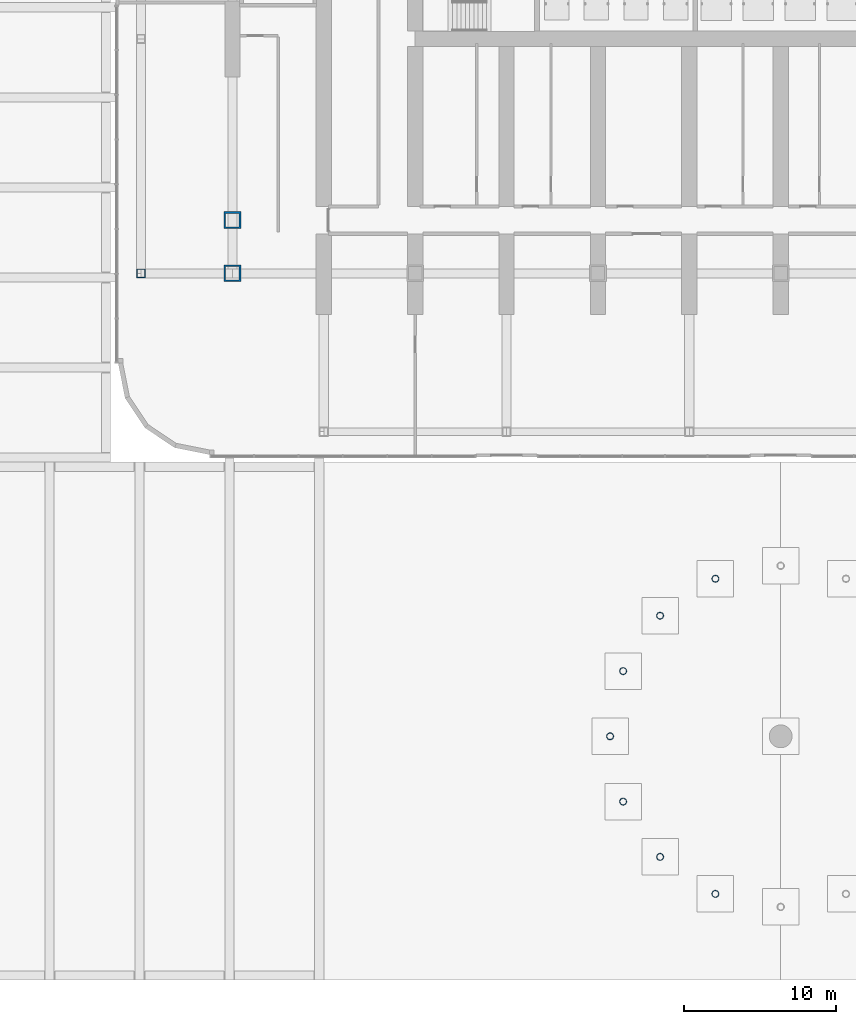
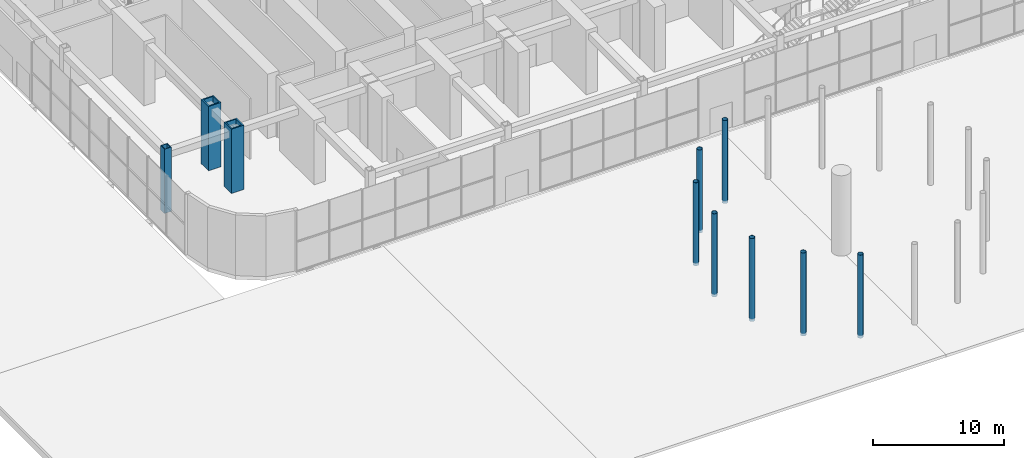
# One storey, part 2 of 57: 10 columns.
"""IFC4 building model written with IfcOpenShell, lengths in metres."""

import ifcopenshell
import ifcopenshell.guid

model = None  # the IFC model being written
_history = None  # IfcOwnerHistory: only IFC2X3 demands one
_inside = {}  # id of a spatial element -> (the spatial element, [elements in it])
_under = {}  # id of a project, library or spatial element -> (it, [spatial elements below it])
_declared = {}  # id of a project -> (the project, [libraries it declares])
_typed = {}  # id of a type object -> (the type object, [elements of that type])
_made_of = {}  # id of a material, layer set ... -> (it, [elements and type objects made of it])


def new_model(schema):
    """Start an empty IFC model of exactly this schema.

    Asked for "IFC4X3", IfcOpenShell would pick the latest addendum, in which some entities
    have other attributes; the version numbers below select the first issue.
    IFC2X3 requires an IfcOwnerHistory on every rooted entity: one is made here for all.
    """
    global model, _history
    if schema == "IFC4X3":
        model = ifcopenshell.file(schema_version=(4, 3, 0, 0))
    else:
        model = ifcopenshell.file(schema=schema)
    _inside.clear()
    _under.clear()
    _declared.clear()
    _typed.clear()
    _made_of.clear()
    _history = None
    if model.schema == "IFC2X3":
        org = make("IfcOrganization", Name="unknown")
        user = make(
            "IfcPersonAndOrganization",
            ThePerson=make("IfcPerson", FamilyName="unknown"),
            TheOrganization=org,
        )
        app = make(
            "IfcApplication",
            ApplicationDeveloper=org,
            Version="unknown",
            ApplicationFullName="unknown",
            ApplicationIdentifier="unknown",
        )
        _history = make(
            "IfcOwnerHistory",
            OwningUser=user,
            OwningApplication=app,
            ChangeAction="ADDED",
            CreationDate=0,
        )
    return model


def make(cls, **values):
    """One entity of the class cls with the attributes given. An attribute that is None is left unset."""
    return model.create_entity(
        cls, **{name: value for name, value in values.items() if value is not None}
    )


def rooted(cls, **values):
    """An entity with a GlobalId (a new one), such as an element, a storey or a relation."""
    return make(cls, GlobalId=ifcopenshell.guid.new(), OwnerHistory=_history, **values)


def si_unit(unit_type, name, prefix=None):
    """IfcSIUnit, for example si_unit("LENGTHUNIT", "METRE", prefix="MILLI")."""
    return make("IfcSIUnit", UnitType=unit_type, Prefix=prefix, Name=name)


def assignment(units):
    """IfcUnitAssignment: the units of a project."""
    return None if units is None else make("IfcUnitAssignment", Units=units)


def point(xyz):
    """IfcCartesianPoint."""
    return None if xyz is None else make("IfcCartesianPoint", Coordinates=xyz)


def direction(xyz):
    """IfcDirection."""
    return None if xyz is None else make("IfcDirection", DirectionRatios=xyz)


def frame(location, z_axis=None, x_axis=None):
    """IfcAxis2Placement3D, a coordinate frame: its origin and axes. An axis left out is left unset."""
    return make(
        "IfcAxis2Placement3D",
        Location=point(location),
        Axis=direction(z_axis),
        RefDirection=direction(x_axis),
    )


def frame_2d(location, x_axis=None):
    """IfcAxis2Placement2D, a coordinate frame in the plane: its origin and x axis."""
    return make(
        "IfcAxis2Placement2D", Location=point(location), RefDirection=direction(x_axis)
    )


def origin():
    """The frame at (0, 0, 0) with its axes left unset."""
    return frame((0.0, 0.0, 0.0))


def origin_2d():
    """The frame at (0, 0) in the plane with its x axis left unset."""
    return frame_2d((0.0, 0.0))


def place(relative_to, where):
    """IfcLocalPlacement: puts the frame where relative to a parent placement (None: the world)."""
    return make(
        "IfcLocalPlacement", PlacementRelTo=relative_to, RelativePlacement=where
    )


def context(
    kind, dimensions, precision=None, world=None, true_north=None, identifier=None
):
    """IfcGeometricRepresentationContext, for example the 3D "Model" context."""
    return make(
        "IfcGeometricRepresentationContext",
        ContextIdentifier=identifier,
        ContextType=kind,
        CoordinateSpaceDimension=dimensions,
        Precision=precision,
        WorldCoordinateSystem=world,
        TrueNorth=true_north,
    )


def subcontext(parent, identifier, kind, view, scale=None):
    """IfcGeometricRepresentationSubContext, for example "Body" below "Model"."""
    return make(
        "IfcGeometricRepresentationSubContext",
        ContextIdentifier=identifier,
        ContextType=kind,
        ParentContext=parent,
        TargetScale=scale,
        TargetView=view,
    )


def project(units=None, contexts=None):
    """IfcProject with its units and contexts."""
    return rooted(
        "IfcProject",
        Name="project",
        RepresentationContexts=contexts,
        UnitsInContext=assignment(units),
    )


def spatial(cls, under=None, at=None, **own):
    """A site, building, storey or space (cls), placed at a placement, below another one or the project."""
    s = rooted(cls, ObjectPlacement=at, **own)
    if under is not None:
        _under.setdefault(under.id(), (under, []))[1].append(s)
    return s


def profile(cls, at=None, kind="AREA", **sizes):
    """A parametric profile (cls). Its sizes go by their IFC names, for example OverallWidth=200.0."""
    return make(cls, ProfileType=kind, Position=at, **sizes)


def hollow_rectangle(**sizes):
    """IfcRectangleHollowProfileDef."""
    return profile("IfcRectangleHollowProfileDef", **sizes)


def hollow_circle(**sizes):
    """IfcCircleHollowProfileDef."""
    return profile("IfcCircleHollowProfileDef", **sizes)


def extrude(swept, where, along, depth):
    """IfcExtrudedAreaSolid: the profile swept, set in the frame where, extruded along a direction by depth."""
    return make(
        "IfcExtrudedAreaSolid",
        SweptArea=swept,
        Position=where,
        ExtrudedDirection=direction(along),
        Depth=depth,
    )


def shape(context_of_items, identifier, shape_type, items):
    """IfcShapeRepresentation: the items that make up one representation, for example the "Body"."""
    return make(
        "IfcShapeRepresentation",
        ContextOfItems=context_of_items,
        RepresentationIdentifier=identifier,
        RepresentationType=shape_type,
        Items=items,
    )


def material(Name=None, Category=None):
    """IfcMaterial."""
    return make("IfcMaterial", Name=Name, Category=Category)


def material_profile(
    of_material, cross_section, Name=None, Category=None, Priority=None
):
    """IfcMaterialProfile: a cross section and its material."""
    return make(
        "IfcMaterialProfile",
        Name=Name,
        Material=of_material,
        Profile=cross_section,
        Priority=Priority,
        Category=Category,
    )


def profile_set(profiles, Name=None, composite=None):
    """IfcMaterialProfileSet."""
    return make(
        "IfcMaterialProfileSet",
        Name=Name,
        MaterialProfiles=profiles,
        CompositeProfile=composite,
    )


def made_of(thing, what):
    """Note that an element or type object is made of a material, layer set ...; save() writes the relation."""
    if what is not None:
        _made_of.setdefault(what.id(), (what, []))[1].append(thing)
    return thing


def type_object(cls, material=None, **own):
    """A type object (cls), such as IfcWallType, which elements share."""
    return made_of(rooted(cls, **own), material)


def element(
    cls,
    number,
    at=None,
    inside=None,
    cuts=None,
    type_object=None,
    material=None,
    context=None,
    identifier="Body",
    shape_type=None,
    held_by="IfcProductDefinitionShape",
    body=None,
    shapes=None,
    **own,
):
    """One element of the class cls, such as IfcWall. Its Tag is "e" and its number.

    at: its placement. inside: the storey or other place that contains it. cuts: it is an
    opening in that element (IfcRelVoidsElement). A single representation is given by context,
    identifier, shape_type and body (its items); several are given by shapes. held_by: the class
    of the entity that holds the representations. save() writes the other relations.
    """
    e = rooted(cls, Tag="e%d" % number, ObjectPlacement=at, **own)
    if body is not None:
        shapes = [shape(context, identifier, shape_type, body)]
    if shapes is not None:
        e.Representation = make(held_by, Representations=shapes)
    if inside is not None:
        _inside.setdefault(inside.id(), (inside, []))[1].append(e)
    if cuts is not None:
        rooted(
            "IfcRelVoidsElement", RelatingBuildingElement=cuts, RelatedOpeningElement=e
        )
    if type_object is not None:
        _typed.setdefault(type_object.id(), (type_object, []))[1].append(e)
    return made_of(e, material)


def aggregate(whole, parts):
    """IfcRelAggregates: a whole, such as a stair, and the parts it consists of."""
    return rooted("IfcRelAggregates", RelatingObject=whole, RelatedObjects=parts)


def save(model, path):
    """Write the relations noted so far, then the file.

    IfcRelAggregates (storeys below a building ...), IfcRelContainedInSpatialStructure (elements
    in a storey), IfcRelDefinesByType, IfcRelAssociatesMaterial and IfcRelDeclares: one each for
    every whole, place, type object, material and project.
    """
    for whole, parts in _under.values():
        aggregate(whole, parts)
    for where, things in _inside.values():
        rooted(
            "IfcRelContainedInSpatialStructure",
            RelatedElements=things,
            RelatingStructure=where,
        )
    for kind, things in _typed.values():
        rooted("IfcRelDefinesByType", RelatedObjects=things, RelatingType=kind)
    for what, things in _made_of.values():
        rooted("IfcRelAssociatesMaterial", RelatedObjects=things, RelatingMaterial=what)
    for by, libraries in _declared.values():
        rooted("IfcRelDeclares", RelatingContext=by, RelatedDefinitions=libraries)
    model.write(path)


model = new_model("IFC4")

# Units and contexts
model_context = context("Model", 3, precision=1e-05, world=origin(), true_north=direction((0.0, 1.0)))
body_context = subcontext(model_context, "Body", "Model", "MODEL_VIEW")
ifc_project = project(units=[si_unit("LENGTHUNIT", "METRE"), si_unit("AREAUNIT", "SQUARE_METRE"), si_unit("VOLUMEUNIT", "CUBIC_METRE"), si_unit("PLANEANGLEUNIT", "RADIAN"), si_unit("MASSUNIT", "GRAM", prefix="KILO")], contexts=[model_context])

# Site, building, storey
site_placement = place(None, origin())
site = spatial("IfcSite", under=ifc_project, at=site_placement, CompositionType="ELEMENT")
building_placement = place(site_placement, origin())
building = spatial("IfcBuilding", under=site, at=building_placement, Name="Orbita Commons", CompositionType="ELEMENT")
storey_placement = place(building_placement, origin())
storey = spatial("IfcBuildingStorey", under=building, at=storey_placement, Name="L00", CompositionType="ELEMENT", Elevation=0.0)

# Columns
ifc_material_1 = material(Name="Steel ASTM A992", Category="steel")
ifc_material_profile_1 = material_profile(ifc_material_1, hollow_circle(Radius=0.228515625, WallThickness=0.02001953125, at=origin_2d()), Name="CHS 457x20")
ifc_profile_set_1 = profile_set([ifc_material_profile_1], Name="Steel ASTM A992")
column_type_1 = type_object("IfcColumnType", Name="Canopy column CHS 457x20", PredefinedType="COLUMN", material=ifc_profile_set_1)
for number, where, z_axis, x_axis, name in (
    (1, (37.7138671875, -9.652587890625, -0.25), (0.0, 0.0, 1.0), (1.0, 0.0, 0.0), "Canopy column 6"),
    (2, (34.080322265625, -12.080322265625, -0.25), (0.0, 0.0, 1.0), (1.0, 0.0, 0.0), "Canopy column 7"),
    (3, (31.652587890625, -15.7138671875, -0.25), (0.0, 0.0, 1.0), (1.0, 0.0, 0.0), "Canopy column 8"),
    (4, (30.800048828125, -20.0, -0.25), (0.0, 0.0, 1.0), (1.0, 0.0, 0.0), "Canopy column 9"),
    (5, (31.652587890625, -24.2861328125, -0.25), (0.0, 0.0, 1.0), (1.0, 0.0, 0.0), "Canopy column 10"),
    (6, (34.080322265625, -27.919677734375, -0.25), (0.0, 0.0, 1.0), (1.0, 0.0, 0.0), "Canopy column 11"),
    (7, (37.7138671875, -30.347412109375, -0.25), (0.0, 0.0, 1.0), (1.0, 0.0, 0.0), "Canopy column 12"),
):
    element("IfcColumn", number, at=place(storey_placement, frame(where, z_axis=z_axis, x_axis=x_axis)), inside=storey, type_object=column_type_1, Name=name, PredefinedType="COLUMN", context=body_context, shape_type="SweptSolid", body=[
        extrude(hollow_circle(Radius=0.228515625, WallThickness=0.02001953125, at=origin_2d()), origin(), (0.0, 0.0, 1.0), 7.74609375),
    ])
ifc_material_2 = material(Name="Steel ASTM A572 Gr 42 welded plate", Category="steel")
ifc_material_profile_2 = material_profile(ifc_material_2, hollow_rectangle(XDim=1.10009765625, YDim=1.10009765625, WallThickness=0.110107421875, at=origin_2d()), Name="BOX 1100x1100x110")
ifc_profile_set_2 = profile_set([ifc_material_profile_2], Name="Steel ASTM A572 Gr 42 welded plate")
column_type_2 = type_object("IfcColumnType", Name="Steel column BOX 1100x1100x110", PredefinedType="COLUMN", material=ifc_profile_set_2)
for number, where, z_axis, x_axis, name in (
    (8, (6.0, 10.39990234375, 0.0), (0.0, 0.0, 1.0), (1.0, 0.0, 0.0), "Column 2/B L00"),
    (9, (6.0, 13.89990234375, 0.0), (0.0, 0.0, 1.0), (1.0, 0.0, 0.0), "Column 2/13.9 L00"),
):
    element("IfcColumn", number, at=place(storey_placement, frame(where, z_axis=z_axis, x_axis=x_axis)), inside=storey, type_object=column_type_2, Name=name, PredefinedType="COLUMN", context=body_context, shape_type="SweptSolid", body=[
        extrude(hollow_rectangle(XDim=1.10009765625, YDim=1.10009765625, WallThickness=0.110107421875, at=origin_2d()), origin(), (0.0, 0.0, 1.0), 6.0),
    ])
ifc_material_3 = material(Name="Steel ASTM A572 Gr 50 welded plate", Category="steel")
ifc_material_profile_3 = material_profile(ifc_material_3, hollow_rectangle(XDim=0.60009765625, YDim=0.60009765625, WallThickness=0.06005859375, at=origin_2d()), Name="BOX 600x600x60")
ifc_profile_set_3 = profile_set([ifc_material_profile_3], Name="Steel ASTM A572 Gr 50 welded plate")
column_type_3 = type_object("IfcColumnType", Name="Steel column BOX 600x600x60", PredefinedType="COLUMN", material=ifc_profile_set_3)
column_placement = place(storey_placement, frame((0.0, 10.39990234375, 0.0), z_axis=(0.0, 0.0, 1.0), x_axis=(1.0, 0.0, 0.0)))
element("IfcColumn", 10, at=column_placement, inside=storey, type_object=column_type_3, Name="Column 1/B L00", PredefinedType="COLUMN", context=body_context, shape_type="SweptSolid", body=[
    extrude(hollow_rectangle(XDim=0.60009765625, YDim=0.60009765625, WallThickness=0.06005859375, at=origin_2d()), origin(), (0.0, 0.0, 1.0), 6.0),
])

save(model, "model.ifc")
